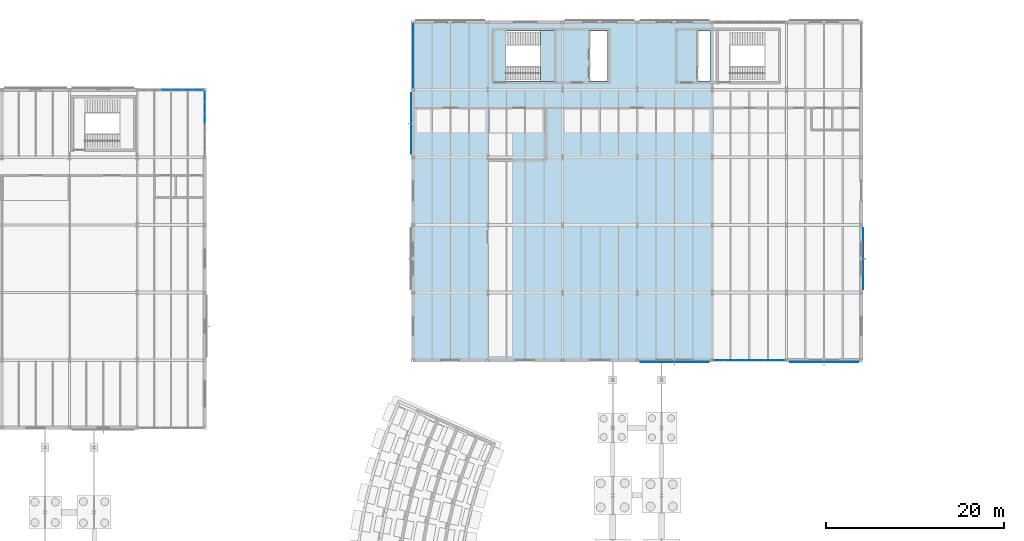
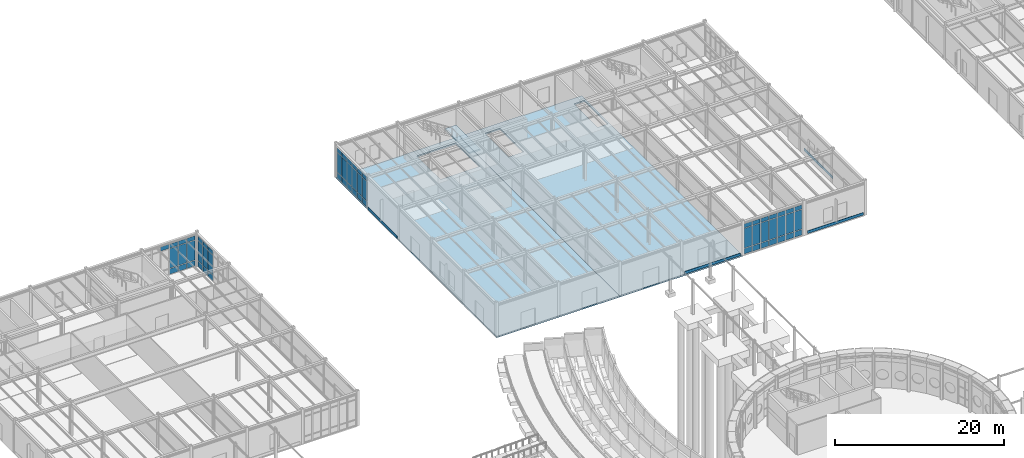
# One storey, part 77 of 109: 62 plates, 3 slabs, 5 elements without a shape of their own.
"""IFC4 building model written with IfcOpenShell, lengths in metres."""

from ifc_helpers import new_model, si_unit, direction, frame, origin, origin_2d, place, context, subcontext, project, spatial, polyline, rectangle, outline, extrude, material, layer, layer_set, type_object, element, aggregate, save


model = new_model("IFC4")

# Units and contexts
model_context = context("Model", 3, precision=1e-05, world=origin(), true_north=direction((0.0, 1.0)))
body_context = subcontext(model_context, "Body", "Model", "MODEL_VIEW")
ifc_project = project(units=[si_unit("LENGTHUNIT", "METRE"), si_unit("AREAUNIT", "SQUARE_METRE"), si_unit("VOLUMEUNIT", "CUBIC_METRE"), si_unit("PLANEANGLEUNIT", "RADIAN"), si_unit("MASSUNIT", "GRAM", prefix="KILO")], contexts=[model_context])

# Site, building, storey
site_placement = place(None, origin())
site = spatial("IfcSite", under=ifc_project, at=site_placement, CompositionType="ELEMENT")
building_placement = place(site_placement, origin())
building = spatial("IfcBuilding", under=site, at=building_placement, Name="Montecoro Central Library", CompositionType="ELEMENT")
storey_placement = place(building_placement, origin())
storey = spatial("IfcBuildingStorey", under=building, at=storey_placement, Name="L00", CompositionType="ELEMENT", Elevation=0.0)

# Curtain wall, plates
ifc_material_1 = material(Name="Bronze-anodised aluminium and low-E glazing", Category="aluminium")
ifc_layer_1 = layer(ifc_material_1, 0.159912109375)
ifc_layer_set_1 = layer_set([ifc_layer_1], Name="Bronze-anodised aluminium and low-E glazing")
curtain_wall_type_1 = type_object("IfcCurtainWallType", Name="CWT-006", PredefinedType="NOTDEFINED", material=ifc_layer_set_1)
curtain_wall_1_placement = place(storey_placement, origin())
curtain_wall_1 = element("IfcCurtainWall", 1, at=curtain_wall_1_placement, inside=storey, type_object=curtain_wall_type_1, Name="V2-L00-CW-S4", PredefinedType="NOTDEFINED")
ifc_material_2 = material(Name="Laminated low-E double glazing", Category="glass")
ifc_layer_2 = layer(ifc_material_2, 0.02587890625)
ifc_layer_set_2 = layer_set([ifc_layer_2], Name="Laminated low-E double glazing")
plate_type_1 = type_object("IfcPlateType", Name="CWP-GLZ-01", PredefinedType="CURTAIN_PANEL", material=ifc_layer_set_2)
plate_1_placement = place(storey_placement, frame((100.77001953125, 81.0, 0.070068359375), z_axis=(0.0, 0.0, 1.0), x_axis=(1.0, 0.0, 0.0)))
plate_1 = element("IfcPlate", 2, at=plate_1_placement, type_object=plate_type_1, Name="CW-006 panel 1.1", PredefinedType="CURTAIN_PANEL", context=body_context, shape_type="SweptSolid", body=[
    extrude(rectangle(XDim=1.044189453125, YDim=0.02587890625, at=origin_2d()), origin(), (0.0, 0.0, 1.0), 0.794921875),
])
plate_2_placement = place(storey_placement, frame((100.77001953125, 81.0, 0.93505859375), z_axis=(0.0, 0.0, 1.0), x_axis=(1.0, 0.0, 0.0)))
plate_2 = element("IfcPlate", 3, at=plate_2_placement, type_object=plate_type_1, Name="CW-006 panel 1.2", PredefinedType="CURTAIN_PANEL", context=body_context, shape_type="SweptSolid", body=[
    extrude(rectangle(XDim=1.044189453125, YDim=0.02587890625, at=origin_2d()), origin(), (0.0, 0.0, 1.0), 2.830078125),
])
plate_3_placement = place(storey_placement, frame((100.77001953125, 81.0, 3.8349609375), z_axis=(0.0, 0.0, 1.0), x_axis=(1.0, 0.0, 0.0)))
plate_3 = element("IfcPlate", 4, at=plate_3_placement, type_object=plate_type_1, Name="CW-006 panel 1.3", PredefinedType="CURTAIN_PANEL", context=body_context, shape_type="SweptSolid", body=[
    extrude(rectangle(XDim=1.044189453125, YDim=0.02587890625, at=origin_2d()), origin(), (0.0, 0.0, 1.0), 0.594970703125),
])
plate_4_placement = place(storey_placement, frame((101.901611328125, 81.0, 0.070068359375), z_axis=(0.0, 0.0, 1.0), x_axis=(1.0, 0.0, 0.0)))
plate_4 = element("IfcPlate", 5, at=plate_4_placement, type_object=plate_type_1, Name="CW-006 panel 2.1", PredefinedType="CURTAIN_PANEL", context=body_context, shape_type="SweptSolid", body=[
    extrude(rectangle(XDim=1.0791015625, YDim=0.02587890625, at=origin_2d()), origin(), (0.0, 0.0, 1.0), 0.794921875),
])
plate_5_placement = place(storey_placement, frame((101.901611328125, 81.0, 0.93505859375), z_axis=(0.0, 0.0, 1.0), x_axis=(1.0, 0.0, 0.0)))
plate_5 = element("IfcPlate", 6, at=plate_5_placement, type_object=plate_type_1, Name="CW-006 panel 2.2", PredefinedType="CURTAIN_PANEL", context=body_context, shape_type="SweptSolid", body=[
    extrude(rectangle(XDim=1.0791015625, YDim=0.02587890625, at=origin_2d()), origin(), (0.0, 0.0, 1.0), 2.830078125),
])
plate_6_placement = place(storey_placement, frame((101.901611328125, 81.0, 3.8349609375), z_axis=(0.0, 0.0, 1.0), x_axis=(1.0, 0.0, 0.0)))
plate_6 = element("IfcPlate", 7, at=plate_6_placement, type_object=plate_type_1, Name="CW-006 panel 2.3", PredefinedType="CURTAIN_PANEL", context=body_context, shape_type="SweptSolid", body=[
    extrude(rectangle(XDim=1.0791015625, YDim=0.02587890625, at=origin_2d()), origin(), (0.0, 0.0, 1.0), 0.594970703125),
])
plate_7_placement = place(storey_placement, frame((103.05078125, 81.0, 0.070068359375), z_axis=(0.0, 0.0, 1.0), x_axis=(1.0, 0.0, 0.0)))
plate_7 = element("IfcPlate", 8, at=plate_7_placement, type_object=plate_type_1, Name="CW-006 panel 3.1", PredefinedType="CURTAIN_PANEL", context=body_context, shape_type="SweptSolid", body=[
    extrude(rectangle(XDim=1.0791015625, YDim=0.02587890625, at=origin_2d()), origin(), (0.0, 0.0, 1.0), 0.794921875),
])
plate_8_placement = place(storey_placement, frame((103.05078125, 81.0, 0.93505859375), z_axis=(0.0, 0.0, 1.0), x_axis=(1.0, 0.0, 0.0)))
plate_8 = element("IfcPlate", 9, at=plate_8_placement, type_object=plate_type_1, Name="CW-006 panel 3.2", PredefinedType="CURTAIN_PANEL", context=body_context, shape_type="SweptSolid", body=[
    extrude(rectangle(XDim=1.0791015625, YDim=0.02587890625, at=origin_2d()), origin(), (0.0, 0.0, 1.0), 2.830078125),
])
plate_9_placement = place(storey_placement, frame((103.05078125, 81.0, 3.8349609375), z_axis=(0.0, 0.0, 1.0), x_axis=(1.0, 0.0, 0.0)))
plate_9 = element("IfcPlate", 10, at=plate_9_placement, type_object=plate_type_1, Name="CW-006 panel 3.3", PredefinedType="CURTAIN_PANEL", context=body_context, shape_type="SweptSolid", body=[
    extrude(rectangle(XDim=1.0791015625, YDim=0.02587890625, at=origin_2d()), origin(), (0.0, 0.0, 1.0), 0.594970703125),
])
plate_10_placement = place(storey_placement, frame((104.199951171875, 81.0, 0.070068359375), z_axis=(0.0, 0.0, 1.0), x_axis=(1.0, 0.0, 0.0)))
plate_10 = element("IfcPlate", 11, at=plate_10_placement, type_object=plate_type_1, Name="CW-006 panel 4.1", PredefinedType="CURTAIN_PANEL", context=body_context, shape_type="SweptSolid", body=[
    extrude(rectangle(XDim=1.0791015625, YDim=0.02587890625, at=origin_2d()), origin(), (0.0, 0.0, 1.0), 0.794921875),
])
plate_11_placement = place(storey_placement, frame((104.199951171875, 81.0, 0.93505859375), z_axis=(0.0, 0.0, 1.0), x_axis=(1.0, 0.0, 0.0)))
plate_11 = element("IfcPlate", 12, at=plate_11_placement, type_object=plate_type_1, Name="CW-006 panel 4.2", PredefinedType="CURTAIN_PANEL", context=body_context, shape_type="SweptSolid", body=[
    extrude(rectangle(XDim=1.0791015625, YDim=0.02587890625, at=origin_2d()), origin(), (0.0, 0.0, 1.0), 2.830078125),
])
plate_12_placement = place(storey_placement, frame((104.199951171875, 81.0, 3.8349609375), z_axis=(0.0, 0.0, 1.0), x_axis=(1.0, 0.0, 0.0)))
plate_12 = element("IfcPlate", 13, at=plate_12_placement, type_object=plate_type_1, Name="CW-006 panel 4.3", PredefinedType="CURTAIN_PANEL", context=body_context, shape_type="SweptSolid", body=[
    extrude(rectangle(XDim=1.0791015625, YDim=0.02587890625, at=origin_2d()), origin(), (0.0, 0.0, 1.0), 0.594970703125),
])
plate_13_placement = place(storey_placement, frame((105.34912109375, 81.0, 0.070068359375), z_axis=(0.0, 0.0, 1.0), x_axis=(1.0, 0.0, 0.0)))
plate_13 = element("IfcPlate", 14, at=plate_13_placement, type_object=plate_type_1, Name="CW-006 panel 5.1", PredefinedType="CURTAIN_PANEL", context=body_context, shape_type="SweptSolid", body=[
    extrude(rectangle(XDim=1.0791015625, YDim=0.02587890625, at=origin_2d()), origin(), (0.0, 0.0, 1.0), 0.794921875),
])
plate_14_placement = place(storey_placement, frame((105.34912109375, 81.0, 0.93505859375), z_axis=(0.0, 0.0, 1.0), x_axis=(1.0, 0.0, 0.0)))
plate_14 = element("IfcPlate", 15, at=plate_14_placement, type_object=plate_type_1, Name="CW-006 panel 5.2", PredefinedType="CURTAIN_PANEL", context=body_context, shape_type="SweptSolid", body=[
    extrude(rectangle(XDim=1.0791015625, YDim=0.02587890625, at=origin_2d()), origin(), (0.0, 0.0, 1.0), 2.830078125),
])
plate_15_placement = place(storey_placement, frame((105.34912109375, 81.0, 3.8349609375), z_axis=(0.0, 0.0, 1.0), x_axis=(1.0, 0.0, 0.0)))
plate_15 = element("IfcPlate", 16, at=plate_15_placement, type_object=plate_type_1, Name="CW-006 panel 5.3", PredefinedType="CURTAIN_PANEL", context=body_context, shape_type="SweptSolid", body=[
    extrude(rectangle(XDim=1.0791015625, YDim=0.02587890625, at=origin_2d()), origin(), (0.0, 0.0, 1.0), 0.594970703125),
])
plate_16_placement = place(storey_placement, frame((106.498291015625, 81.0, 0.070068359375), z_axis=(0.0, 0.0, 1.0), x_axis=(1.0, 0.0, 0.0)))
plate_16 = element("IfcPlate", 17, at=plate_16_placement, type_object=plate_type_1, Name="CW-006 panel 6.1", PredefinedType="CURTAIN_PANEL", context=body_context, shape_type="SweptSolid", body=[
    extrude(rectangle(XDim=1.0791015625, YDim=0.02587890625, at=origin_2d()), origin(), (0.0, 0.0, 1.0), 0.794921875),
])
plate_17_placement = place(storey_placement, frame((106.498291015625, 81.0, 0.93505859375), z_axis=(0.0, 0.0, 1.0), x_axis=(1.0, 0.0, 0.0)))
plate_17 = element("IfcPlate", 18, at=plate_17_placement, type_object=plate_type_1, Name="CW-006 panel 6.2", PredefinedType="CURTAIN_PANEL", context=body_context, shape_type="SweptSolid", body=[
    extrude(rectangle(XDim=1.0791015625, YDim=0.02587890625, at=origin_2d()), origin(), (0.0, 0.0, 1.0), 2.830078125),
])
plate_18_placement = place(storey_placement, frame((106.498291015625, 81.0, 3.8349609375), z_axis=(0.0, 0.0, 1.0), x_axis=(1.0, 0.0, 0.0)))
plate_18 = element("IfcPlate", 19, at=plate_18_placement, type_object=plate_type_1, Name="CW-006 panel 6.3", PredefinedType="CURTAIN_PANEL", context=body_context, shape_type="SweptSolid", body=[
    extrude(rectangle(XDim=1.0791015625, YDim=0.02587890625, at=origin_2d()), origin(), (0.0, 0.0, 1.0), 0.594970703125),
])
plate_19_placement = place(storey_placement, frame((107.6298828125, 81.0, 0.070068359375), z_axis=(0.0, 0.0, 1.0), x_axis=(1.0, 0.0, 0.0)))
plate_19 = element("IfcPlate", 20, at=plate_19_placement, type_object=plate_type_1, Name="CW-006 panel 7.1", PredefinedType="CURTAIN_PANEL", context=body_context, shape_type="SweptSolid", body=[
    extrude(rectangle(XDim=1.044189453125, YDim=0.02587890625, at=origin_2d()), origin(), (0.0, 0.0, 1.0), 0.794921875),
])
plate_20_placement = place(storey_placement, frame((107.6298828125, 81.0, 0.93505859375), z_axis=(0.0, 0.0, 1.0), x_axis=(1.0, 0.0, 0.0)))
plate_20 = element("IfcPlate", 21, at=plate_20_placement, type_object=plate_type_1, Name="CW-006 panel 7.2", PredefinedType="CURTAIN_PANEL", context=body_context, shape_type="SweptSolid", body=[
    extrude(rectangle(XDim=1.044189453125, YDim=0.02587890625, at=origin_2d()), origin(), (0.0, 0.0, 1.0), 2.830078125),
])
plate_21_placement = place(storey_placement, frame((107.6298828125, 81.0, 3.8349609375), z_axis=(0.0, 0.0, 1.0), x_axis=(1.0, 0.0, 0.0)))
plate_21 = element("IfcPlate", 22, at=plate_21_placement, type_object=plate_type_1, Name="CW-006 panel 7.3", PredefinedType="CURTAIN_PANEL", context=body_context, shape_type="SweptSolid", body=[
    extrude(rectangle(XDim=1.044189453125, YDim=0.02587890625, at=origin_2d()), origin(), (0.0, 0.0, 1.0), 0.594970703125),
])
aggregate(curtain_wall_1, [plate_1, plate_2, plate_3, plate_4, plate_5, plate_6, plate_7, plate_8, plate_9, plate_10, plate_11, plate_12, plate_13, plate_14, plate_15, plate_16, plate_17, plate_18, plate_19, plate_20, plate_21])

ifc_layer_3 = layer(ifc_material_1, 0.159912109375)
ifc_layer_set_3 = layer_set([ifc_layer_3], Name="Bronze-anodised aluminium and low-E glazing")
curtain_wall_type_2 = type_object("IfcCurtainWallType", Name="CWT-009", PredefinedType="NOTDEFINED", material=ifc_layer_set_3)
curtain_wall_2_placement = place(storey_placement, origin())
curtain_wall_2 = element("IfcCurtainWall", 23, at=curtain_wall_2_placement, inside=storey, type_object=curtain_wall_type_2, Name="V2-L00-CW-W4", PredefinedType="NOTDEFINED")
plate_22_placement = place(storey_placement, frame((66.39990234375, 118.200927734375, 0.070068359375), z_axis=(0.0, 0.0, 1.0), x_axis=(0.0, -1.0, 0.0)))
plate_22 = element("IfcPlate", 24, at=plate_22_placement, type_object=plate_type_1, Name="CW-009 panel 1.1", PredefinedType="CURTAIN_PANEL", context=body_context, shape_type="SweptSolid", body=[
    extrude(rectangle(XDim=1.102294921875, YDim=0.02587890625, at=origin_2d()), origin(), (0.0, 0.0, 1.0), 0.794921875),
])
plate_23_placement = place(storey_placement, frame((66.39990234375, 118.200927734375, 0.93505859375), z_axis=(0.0, 0.0, 1.0), x_axis=(0.0, -1.0, 0.0)))
plate_23 = element("IfcPlate", 25, at=plate_23_placement, type_object=plate_type_1, Name="CW-009 panel 1.2", PredefinedType="CURTAIN_PANEL", context=body_context, shape_type="SweptSolid", body=[
    extrude(rectangle(XDim=1.102294921875, YDim=0.02587890625, at=origin_2d()), origin(), (0.0, 0.0, 1.0), 2.830078125),
])
plate_24_placement = place(storey_placement, frame((66.39990234375, 118.200927734375, 3.8349609375), z_axis=(0.0, 0.0, 1.0), x_axis=(0.0, -1.0, 0.0)))
plate_24 = element("IfcPlate", 26, at=plate_24_placement, type_object=plate_type_1, Name="CW-009 panel 1.3", PredefinedType="CURTAIN_PANEL", context=body_context, shape_type="SweptSolid", body=[
    extrude(rectangle(XDim=1.102294921875, YDim=0.02587890625, at=origin_2d()), origin(), (0.0, 0.0, 1.0), 0.594970703125),
])
plate_25_placement = place(storey_placement, frame((66.39990234375, 117.010986328125, 0.070068359375), z_axis=(0.0, 0.0, 1.0), x_axis=(0.0, -1.0, 0.0)))
plate_25 = element("IfcPlate", 27, at=plate_25_placement, type_object=plate_type_1, Name="CW-009 panel 2.1", PredefinedType="CURTAIN_PANEL", context=body_context, shape_type="SweptSolid", body=[
    extrude(rectangle(XDim=1.137451171875, YDim=0.02587890625, at=origin_2d()), origin(), (0.0, 0.0, 1.0), 0.794921875),
])
plate_26_placement = place(storey_placement, frame((66.39990234375, 117.010986328125, 0.93505859375), z_axis=(0.0, 0.0, 1.0), x_axis=(0.0, -1.0, 0.0)))
plate_26 = element("IfcPlate", 28, at=plate_26_placement, type_object=plate_type_1, Name="CW-009 panel 2.2", PredefinedType="CURTAIN_PANEL", context=body_context, shape_type="SweptSolid", body=[
    extrude(rectangle(XDim=1.137451171875, YDim=0.02587890625, at=origin_2d()), origin(), (0.0, 0.0, 1.0), 2.830078125),
])
plate_27_placement = place(storey_placement, frame((66.39990234375, 117.010986328125, 3.8349609375), z_axis=(0.0, 0.0, 1.0), x_axis=(0.0, -1.0, 0.0)))
plate_27 = element("IfcPlate", 29, at=plate_27_placement, type_object=plate_type_1, Name="CW-009 panel 2.3", PredefinedType="CURTAIN_PANEL", context=body_context, shape_type="SweptSolid", body=[
    extrude(rectangle(XDim=1.137451171875, YDim=0.02587890625, at=origin_2d()), origin(), (0.0, 0.0, 1.0), 0.594970703125),
])
plate_28_placement = place(storey_placement, frame((66.39990234375, 115.8037109375, 0.070068359375), z_axis=(0.0, 0.0, 1.0), x_axis=(0.0, -1.0, 0.0)))
plate_28 = element("IfcPlate", 30, at=plate_28_placement, type_object=plate_type_1, Name="CW-009 panel 3.1", PredefinedType="CURTAIN_PANEL", context=body_context, shape_type="SweptSolid", body=[
    extrude(rectangle(XDim=1.137451171875, YDim=0.02587890625, at=origin_2d()), origin(), (0.0, 0.0, 1.0), 0.794921875),
])
plate_29_placement = place(storey_placement, frame((66.39990234375, 115.8037109375, 0.93505859375), z_axis=(0.0, 0.0, 1.0), x_axis=(0.0, -1.0, 0.0)))
plate_29 = element("IfcPlate", 31, at=plate_29_placement, type_object=plate_type_1, Name="CW-009 panel 3.2", PredefinedType="CURTAIN_PANEL", context=body_context, shape_type="SweptSolid", body=[
    extrude(rectangle(XDim=1.137451171875, YDim=0.02587890625, at=origin_2d()), origin(), (0.0, 0.0, 1.0), 2.830078125),
])
plate_30_placement = place(storey_placement, frame((66.39990234375, 115.8037109375, 3.8349609375), z_axis=(0.0, 0.0, 1.0), x_axis=(0.0, -1.0, 0.0)))
plate_30 = element("IfcPlate", 32, at=plate_30_placement, type_object=plate_type_1, Name="CW-009 panel 3.3", PredefinedType="CURTAIN_PANEL", context=body_context, shape_type="SweptSolid", body=[
    extrude(rectangle(XDim=1.137451171875, YDim=0.02587890625, at=origin_2d()), origin(), (0.0, 0.0, 1.0), 0.594970703125),
])
plate_31_placement = place(storey_placement, frame((66.39990234375, 114.596435546875, 0.070068359375), z_axis=(0.0, 0.0, 1.0), x_axis=(0.0, -1.0, 0.0)))
plate_31 = element("IfcPlate", 33, at=plate_31_placement, type_object=plate_type_1, Name="CW-009 panel 4.1", PredefinedType="CURTAIN_PANEL", context=body_context, shape_type="SweptSolid", body=[
    extrude(rectangle(XDim=1.137451171875, YDim=0.02587890625, at=origin_2d()), origin(), (0.0, 0.0, 1.0), 0.794921875),
])
plate_32_placement = place(storey_placement, frame((66.39990234375, 114.596435546875, 0.93505859375), z_axis=(0.0, 0.0, 1.0), x_axis=(0.0, -1.0, 0.0)))
plate_32 = element("IfcPlate", 34, at=plate_32_placement, type_object=plate_type_1, Name="CW-009 panel 4.2", PredefinedType="CURTAIN_PANEL", context=body_context, shape_type="SweptSolid", body=[
    extrude(rectangle(XDim=1.137451171875, YDim=0.02587890625, at=origin_2d()), origin(), (0.0, 0.0, 1.0), 2.830078125),
])
plate_33_placement = place(storey_placement, frame((66.39990234375, 114.596435546875, 3.8349609375), z_axis=(0.0, 0.0, 1.0), x_axis=(0.0, -1.0, 0.0)))
plate_33 = element("IfcPlate", 35, at=plate_33_placement, type_object=plate_type_1, Name="CW-009 panel 4.3", PredefinedType="CURTAIN_PANEL", context=body_context, shape_type="SweptSolid", body=[
    extrude(rectangle(XDim=1.137451171875, YDim=0.02587890625, at=origin_2d()), origin(), (0.0, 0.0, 1.0), 0.594970703125),
])
plate_34_placement = place(storey_placement, frame((66.39990234375, 113.388916015625, 0.070068359375), z_axis=(0.0, 0.0, 1.0), x_axis=(0.0, -1.0, 0.0)))
plate_34 = element("IfcPlate", 36, at=plate_34_placement, type_object=plate_type_1, Name="CW-009 panel 5.1", PredefinedType="CURTAIN_PANEL", context=body_context, shape_type="SweptSolid", body=[
    extrude(rectangle(XDim=1.137451171875, YDim=0.02587890625, at=origin_2d()), origin(), (0.0, 0.0, 1.0), 0.794921875),
])
plate_35_placement = place(storey_placement, frame((66.39990234375, 113.388916015625, 0.93505859375), z_axis=(0.0, 0.0, 1.0), x_axis=(0.0, -1.0, 0.0)))
plate_35 = element("IfcPlate", 37, at=plate_35_placement, type_object=plate_type_1, Name="CW-009 panel 5.2", PredefinedType="CURTAIN_PANEL", context=body_context, shape_type="SweptSolid", body=[
    extrude(rectangle(XDim=1.137451171875, YDim=0.02587890625, at=origin_2d()), origin(), (0.0, 0.0, 1.0), 2.830078125),
])
plate_36_placement = place(storey_placement, frame((66.39990234375, 113.388916015625, 3.8349609375), z_axis=(0.0, 0.0, 1.0), x_axis=(0.0, -1.0, 0.0)))
plate_36 = element("IfcPlate", 38, at=plate_36_placement, type_object=plate_type_1, Name="CW-009 panel 5.3", PredefinedType="CURTAIN_PANEL", context=body_context, shape_type="SweptSolid", body=[
    extrude(rectangle(XDim=1.137451171875, YDim=0.02587890625, at=origin_2d()), origin(), (0.0, 0.0, 1.0), 0.594970703125),
])
plate_37_placement = place(storey_placement, frame((66.39990234375, 112.19921875, 0.070068359375), z_axis=(0.0, 0.0, 1.0), x_axis=(0.0, -1.0, 0.0)))
plate_37 = element("IfcPlate", 39, at=plate_37_placement, type_object=plate_type_1, Name="CW-009 panel 6.1", PredefinedType="CURTAIN_PANEL", context=body_context, shape_type="SweptSolid", body=[
    extrude(rectangle(XDim=1.102294921875, YDim=0.02587890625, at=origin_2d()), origin(), (0.0, 0.0, 1.0), 0.794921875),
])
plate_38_placement = place(storey_placement, frame((66.39990234375, 112.19921875, 0.93505859375), z_axis=(0.0, 0.0, 1.0), x_axis=(0.0, -1.0, 0.0)))
plate_38 = element("IfcPlate", 40, at=plate_38_placement, type_object=plate_type_1, Name="CW-009 panel 6.2", PredefinedType="CURTAIN_PANEL", context=body_context, shape_type="SweptSolid", body=[
    extrude(rectangle(XDim=1.102294921875, YDim=0.02587890625, at=origin_2d()), origin(), (0.0, 0.0, 1.0), 2.830078125),
])
plate_39_placement = place(storey_placement, frame((66.39990234375, 112.19921875, 3.8349609375), z_axis=(0.0, 0.0, 1.0), x_axis=(0.0, -1.0, 0.0)))
plate_39 = element("IfcPlate", 41, at=plate_39_placement, type_object=plate_type_1, Name="CW-009 panel 6.3", PredefinedType="CURTAIN_PANEL", context=body_context, shape_type="SweptSolid", body=[
    extrude(rectangle(XDim=1.102294921875, YDim=0.02587890625, at=origin_2d()), origin(), (0.0, 0.0, 1.0), 0.594970703125),
])
aggregate(curtain_wall_2, [plate_22, plate_23, plate_24, plate_25, plate_26, plate_27, plate_28, plate_29, plate_30, plate_31, plate_32, plate_33, plate_34, plate_35, plate_36, plate_37, plate_38, plate_39])

ifc_layer_4 = layer(ifc_material_1, 0.159912109375)
ifc_layer_set_4 = layer_set([ifc_layer_4], Name="Bronze-anodised aluminium and low-E glazing")
curtain_wall_type_3 = type_object("IfcCurtainWallType", Name="CWT-039", PredefinedType="NOTDEFINED", material=ifc_layer_set_4)
curtain_wall_3_placement = place(storey_placement, origin())
curtain_wall_3 = element("IfcCurtainWall", 42, at=curtain_wall_3_placement, inside=storey, type_object=curtain_wall_type_3, Name="V4-L00-CW-E4", PredefinedType="NOTDEFINED")
plate_40_placement = place(storey_placement, frame((43.0, 108.20361328125, 0.070068359375), z_axis=(0.0, 0.0, 1.0), x_axis=(0.0, 1.0, 0.0)))
plate_40 = element("IfcPlate", 43, at=plate_40_placement, type_object=plate_type_1, Name="CW-039 panel 4.1", PredefinedType="CURTAIN_PANEL", context=body_context, shape_type="SweptSolid", body=[
    extrude(rectangle(XDim=1.137451171875, YDim=0.02587890625, at=origin_2d()), origin(), (0.0, 0.0, 1.0), 0.794921875),
])
plate_41_placement = place(storey_placement, frame((43.0, 108.20361328125, 0.93505859375), z_axis=(0.0, 0.0, 1.0), x_axis=(0.0, 1.0, 0.0)))
plate_41 = element("IfcPlate", 44, at=plate_41_placement, type_object=plate_type_1, Name="CW-039 panel 4.2", PredefinedType="CURTAIN_PANEL", context=body_context, shape_type="SweptSolid", body=[
    extrude(rectangle(XDim=1.137451171875, YDim=0.02587890625, at=origin_2d()), origin(), (0.0, 0.0, 1.0), 2.830078125),
])
plate_42_placement = place(storey_placement, frame((43.0, 108.20361328125, 3.8349609375), z_axis=(0.0, 0.0, 1.0), x_axis=(0.0, 1.0, 0.0)))
plate_42 = element("IfcPlate", 45, at=plate_42_placement, type_object=plate_type_1, Name="CW-039 panel 4.3", PredefinedType="CURTAIN_PANEL", context=body_context, shape_type="SweptSolid", body=[
    extrude(rectangle(XDim=1.137451171875, YDim=0.02587890625, at=origin_2d()), origin(), (0.0, 0.0, 1.0), 0.594970703125),
])
plate_43_placement = place(storey_placement, frame((43.0, 109.410888671875, 0.070068359375), z_axis=(0.0, 0.0, 1.0), x_axis=(0.0, 1.0, 0.0)))
plate_43 = element("IfcPlate", 46, at=plate_43_placement, type_object=plate_type_1, Name="CW-039 panel 5.1", PredefinedType="CURTAIN_PANEL", context=body_context, shape_type="SweptSolid", body=[
    extrude(rectangle(XDim=1.137451171875, YDim=0.02587890625, at=origin_2d()), origin(), (0.0, 0.0, 1.0), 0.794921875),
])
plate_44_placement = place(storey_placement, frame((43.0, 109.410888671875, 0.93505859375), z_axis=(0.0, 0.0, 1.0), x_axis=(0.0, 1.0, 0.0)))
plate_44 = element("IfcPlate", 47, at=plate_44_placement, type_object=plate_type_1, Name="CW-039 panel 5.2", PredefinedType="CURTAIN_PANEL", context=body_context, shape_type="SweptSolid", body=[
    extrude(rectangle(XDim=1.137451171875, YDim=0.02587890625, at=origin_2d()), origin(), (0.0, 0.0, 1.0), 2.830078125),
])
plate_45_placement = place(storey_placement, frame((43.0, 109.410888671875, 3.8349609375), z_axis=(0.0, 0.0, 1.0), x_axis=(0.0, 1.0, 0.0)))
plate_45 = element("IfcPlate", 48, at=plate_45_placement, type_object=plate_type_1, Name="CW-039 panel 5.3", PredefinedType="CURTAIN_PANEL", context=body_context, shape_type="SweptSolid", body=[
    extrude(rectangle(XDim=1.137451171875, YDim=0.02587890625, at=origin_2d()), origin(), (0.0, 0.0, 1.0), 0.594970703125),
])
plate_46_placement = place(storey_placement, frame((43.0, 110.600830078125, 0.070068359375), z_axis=(0.0, 0.0, 1.0), x_axis=(0.0, 1.0, 0.0)))
plate_46 = element("IfcPlate", 49, at=plate_46_placement, type_object=plate_type_1, Name="CW-039 panel 6.1", PredefinedType="CURTAIN_PANEL", context=body_context, shape_type="SweptSolid", body=[
    extrude(rectangle(XDim=1.102294921875, YDim=0.02587890625, at=origin_2d()), origin(), (0.0, 0.0, 1.0), 0.794921875),
])
plate_47_placement = place(storey_placement, frame((43.0, 110.600830078125, 0.93505859375), z_axis=(0.0, 0.0, 1.0), x_axis=(0.0, 1.0, 0.0)))
plate_47 = element("IfcPlate", 50, at=plate_47_placement, type_object=plate_type_1, Name="CW-039 panel 6.2", PredefinedType="CURTAIN_PANEL", context=body_context, shape_type="SweptSolid", body=[
    extrude(rectangle(XDim=1.102294921875, YDim=0.02587890625, at=origin_2d()), origin(), (0.0, 0.0, 1.0), 2.830078125),
])
plate_48_placement = place(storey_placement, frame((43.0, 110.600830078125, 3.8349609375), z_axis=(0.0, 0.0, 1.0), x_axis=(0.0, 1.0, 0.0)))
plate_48 = element("IfcPlate", 51, at=plate_48_placement, type_object=plate_type_1, Name="CW-039 panel 6.3", PredefinedType="CURTAIN_PANEL", context=body_context, shape_type="SweptSolid", body=[
    extrude(rectangle(XDim=1.102294921875, YDim=0.02587890625, at=origin_2d()), origin(), (0.0, 0.0, 1.0), 0.594970703125),
])
aggregate(curtain_wall_3, [plate_40, plate_41, plate_42, plate_43, plate_44, plate_45, plate_46, plate_47, plate_48])

ifc_layer_5 = layer(ifc_material_1, 0.159912109375)
ifc_layer_set_5 = layer_set([ifc_layer_5], Name="Bronze-anodised aluminium and low-E glazing")
curtain_wall_type_4 = type_object("IfcCurtainWallType", Name="CWT-040", PredefinedType="NOTDEFINED", material=ifc_layer_set_5)
curtain_wall_4_placement = place(storey_placement, origin())
curtain_wall_4 = element("IfcCurtainWall", 52, at=curtain_wall_4_placement, inside=storey, type_object=curtain_wall_type_4, Name="V4-L00-CW-N4", PredefinedType="NOTDEFINED")
plate_49_placement = place(storey_placement, frame((42.200927734375, 111.39990234375, 0.070068359375), z_axis=(0.0, 0.0, 1.0), x_axis=(-1.0, 0.0, 0.0)))
plate_49 = element("IfcPlate", 53, at=plate_49_placement, type_object=plate_type_1, Name="CW-040 panel 1.1", PredefinedType="CURTAIN_PANEL", context=body_context, shape_type="SweptSolid", body=[
    extrude(rectangle(XDim=1.102294921875, YDim=0.02587890625, at=origin_2d()), origin(), (0.0, 0.0, 1.0), 0.794921875),
])
plate_50_placement = place(storey_placement, frame((42.200927734375, 111.39990234375, 0.93505859375), z_axis=(0.0, 0.0, 1.0), x_axis=(-1.0, 0.0, 0.0)))
plate_50 = element("IfcPlate", 54, at=plate_50_placement, type_object=plate_type_1, Name="CW-040 panel 1.2", PredefinedType="CURTAIN_PANEL", context=body_context, shape_type="SweptSolid", body=[
    extrude(rectangle(XDim=1.102294921875, YDim=0.02587890625, at=origin_2d()), origin(), (0.0, 0.0, 1.0), 2.830078125),
])
plate_51_placement = place(storey_placement, frame((42.200927734375, 111.39990234375, 3.8349609375), z_axis=(0.0, 0.0, 1.0), x_axis=(-1.0, 0.0, 0.0)))
plate_51 = element("IfcPlate", 55, at=plate_51_placement, type_object=plate_type_1, Name="CW-040 panel 1.3", PredefinedType="CURTAIN_PANEL", context=body_context, shape_type="SweptSolid", body=[
    extrude(rectangle(XDim=1.102294921875, YDim=0.02587890625, at=origin_2d()), origin(), (0.0, 0.0, 1.0), 0.594970703125),
])
plate_52_placement = place(storey_placement, frame((41.010986328125, 111.39990234375, 0.070068359375), z_axis=(0.0, 0.0, 1.0), x_axis=(-1.0, 0.0, 0.0)))
plate_52 = element("IfcPlate", 56, at=plate_52_placement, type_object=plate_type_1, Name="CW-040 panel 2.1", PredefinedType="CURTAIN_PANEL", context=body_context, shape_type="SweptSolid", body=[
    extrude(rectangle(XDim=1.137451171875, YDim=0.02587890625, at=origin_2d()), origin(), (0.0, 0.0, 1.0), 0.794921875),
])
plate_53_placement = place(storey_placement, frame((41.010986328125, 111.39990234375, 0.93505859375), z_axis=(0.0, 0.0, 1.0), x_axis=(-1.0, 0.0, 0.0)))
plate_53 = element("IfcPlate", 57, at=plate_53_placement, type_object=plate_type_1, Name="CW-040 panel 2.2", PredefinedType="CURTAIN_PANEL", context=body_context, shape_type="SweptSolid", body=[
    extrude(rectangle(XDim=1.137451171875, YDim=0.02587890625, at=origin_2d()), origin(), (0.0, 0.0, 1.0), 2.830078125),
])
plate_54_placement = place(storey_placement, frame((41.010986328125, 111.39990234375, 3.8349609375), z_axis=(0.0, 0.0, 1.0), x_axis=(-1.0, 0.0, 0.0)))
plate_54 = element("IfcPlate", 58, at=plate_54_placement, type_object=plate_type_1, Name="CW-040 panel 2.3", PredefinedType="CURTAIN_PANEL", context=body_context, shape_type="SweptSolid", body=[
    extrude(rectangle(XDim=1.137451171875, YDim=0.02587890625, at=origin_2d()), origin(), (0.0, 0.0, 1.0), 0.594970703125),
])
plate_55_placement = place(storey_placement, frame((39.8037109375, 111.39990234375, 0.070068359375), z_axis=(0.0, 0.0, 1.0), x_axis=(-1.0, 0.0, 0.0)))
plate_55 = element("IfcPlate", 59, at=plate_55_placement, type_object=plate_type_1, Name="CW-040 panel 3.1", PredefinedType="CURTAIN_PANEL", context=body_context, shape_type="SweptSolid", body=[
    extrude(rectangle(XDim=1.137451171875, YDim=0.02587890625, at=origin_2d()), origin(), (0.0, 0.0, 1.0), 0.794921875),
])
plate_56_placement = place(storey_placement, frame((39.8037109375, 111.39990234375, 0.93505859375), z_axis=(0.0, 0.0, 1.0), x_axis=(-1.0, 0.0, 0.0)))
plate_56 = element("IfcPlate", 60, at=plate_56_placement, type_object=plate_type_1, Name="CW-040 panel 3.2", PredefinedType="CURTAIN_PANEL", context=body_context, shape_type="SweptSolid", body=[
    extrude(rectangle(XDim=1.137451171875, YDim=0.02587890625, at=origin_2d()), origin(), (0.0, 0.0, 1.0), 2.830078125),
])
plate_57_placement = place(storey_placement, frame((39.8037109375, 111.39990234375, 3.8349609375), z_axis=(0.0, 0.0, 1.0), x_axis=(-1.0, 0.0, 0.0)))
plate_57 = element("IfcPlate", 61, at=plate_57_placement, type_object=plate_type_1, Name="CW-040 panel 3.3", PredefinedType="CURTAIN_PANEL", context=body_context, shape_type="SweptSolid", body=[
    extrude(rectangle(XDim=1.137451171875, YDim=0.02587890625, at=origin_2d()), origin(), (0.0, 0.0, 1.0), 0.594970703125),
])
plate_58_placement = place(storey_placement, frame((38.596435546875, 111.39990234375, 3.8349609375), z_axis=(0.0, 0.0, 1.0), x_axis=(-1.0, 0.0, 0.0)))
plate_58 = element("IfcPlate", 62, at=plate_58_placement, type_object=plate_type_1, Name="CW-040 panel 4.3", PredefinedType="CURTAIN_PANEL", context=body_context, shape_type="SweptSolid", body=[
    extrude(rectangle(XDim=1.137451171875, YDim=0.02587890625, at=origin_2d()), origin(), (0.0, 0.0, 1.0), 0.594970703125),
])
aggregate(curtain_wall_4, [plate_49, plate_50, plate_51, plate_52, plate_53, plate_54, plate_55, plate_56, plate_57, plate_58])

# Plates
ifc_material_3 = material(Name="Architectural bronze spandrel plate", Category="aluminium")
ifc_layer_6 = layer(ifc_material_3, 0.02197265625)
ifc_layer_set_6 = layer_set([ifc_layer_6], Name="Architectural bronze spandrel plate")
plate_type_2 = type_object("IfcPlateType", Name="PLT-SPN-01", PredefinedType="SHEET", material=ifc_layer_set_6)
plate_59_placement = place(storey_placement, frame((95.800048828125, 80.79638671875, 0.16015625), z_axis=(0.0, 0.0, 1.0), x_axis=(1.0, 0.0, 0.0)))
element("IfcPlate", 63, at=plate_59_placement, inside=storey, type_object=plate_type_2, Name="V2-L00-SPN-S3", PredefinedType="SHEET", context=body_context, shape_type="SweptSolid", body=[
    extrude(rectangle(XDim=7.64404296875, YDim=0.02197265625, at=origin_2d()), origin(), (0.0, 0.0, 1.0), 0.39990234375),
])
plate_60_placement = place(storey_placement, frame((66.196533203125, 107.60009765625, 0.16015625), z_axis=(0.0, 0.0, 1.0), x_axis=(0.0, -1.0, 0.0)))
element("IfcPlate", 64, at=plate_60_placement, inside=storey, type_object=plate_type_2, Name="V2-L00-SPN-W3", PredefinedType="SHEET", context=body_context, shape_type="SweptSolid", body=[
    extrude(rectangle(XDim=6.843994140625, YDim=0.02197265625, at=origin_2d()), origin(), (0.0, 0.0, 1.0), 0.39990234375),
])
ifc_layer_7 = layer(ifc_material_3, 0.035888671875)
ifc_layer_set_7 = layer_set([ifc_layer_7], Name="Architectural bronze spandrel plate")
plate_type_3 = type_object("IfcPlateType", Name="PLT-SPN-03", PredefinedType="SHEET", material=ifc_layer_set_7)
plate_61_placement = place(storey_placement, frame((112.60009765625, 80.78955078125, 0.16015625), z_axis=(0.0, 0.0, 1.0), x_axis=(1.0, 0.0, 0.0)))
element("IfcPlate", 65, at=plate_61_placement, inside=storey, type_object=plate_type_3, Name="V2-L00-SPN-S5", PredefinedType="SHEET", context=body_context, shape_type="SweptSolid", body=[
    extrude(rectangle(XDim=7.64404296875, YDim=0.035888671875, at=origin_2d()), origin(), (0.0, 0.0, 1.0), 0.39990234375),
])
plate_62_placement = place(storey_placement, frame((117.010498046875, 92.39990234375, 0.16015625), z_axis=(0.0, 0.0, 1.0), x_axis=(0.0, 1.0, 0.0)))
element("IfcPlate", 66, at=plate_62_placement, inside=storey, type_object=plate_type_3, Name="V2-L00-SPN-E1", PredefinedType="SHEET", context=body_context, shape_type="SweptSolid", body=[
    extrude(rectangle(XDim=6.843994140625, YDim=0.035888671875, at=origin_2d()), origin(), (0.0, 0.0, 1.0), 0.39990234375),
])

# Slabs
ifc_material_4 = material(Name="Concrete C32/40", Category="concrete")
ifc_layer_8 = layer(ifc_material_4, 0.205078125)
ifc_layer_set_8 = layer_set([ifc_layer_8], Name="Concrete C32/40")
slab_type_1 = type_object("IfcSlabType", Name="SL-FLR-205", PredefinedType="FLOOR", material=ifc_layer_set_8)
slab_1_placement = place(storey_placement, frame((0.0, 0.0, -0.205078125)))
element("IfcSlab", 67, at=slab_1_placement, inside=storey, type_object=slab_type_1, Name="V2-L00-SL1", PredefinedType="FLOOR", context=body_context, shape_type="SweptSolid", body=[
    extrude(outline(polyline([(66.39990234375, 81.0), (83.199951171875, 81.0), (83.199951171875, 119.0), (66.39990234375, 119.0), (66.39990234375, 81.0)]), holes=[polyline([(76.860107421875, 118.0), (82.199951171875, 118.0), (82.199951171875, 112.39990234375), (76.860107421875, 112.39990234375), (76.860107421875, 118.0)])]), origin(), (0.0, 0.0, 1.0), 0.205078125),
])
slab_2_placement = place(storey_placement, frame((0.0, 0.0, -0.205078125)))
element("IfcSlab", 68, at=slab_2_placement, inside=storey, type_object=slab_type_1, Name="V2-L00-SL2", PredefinedType="FLOOR", context=body_context, shape_type="SweptSolid", body=[
    extrude(outline(polyline([(83.199951171875, 81.0), (100.0, 81.0), (100.0, 119.0), (83.199951171875, 119.0), (83.199951171875, 81.0)]), holes=[polyline([(86.199951171875, 118.0), (88.25, 118.0), (88.25, 112.39990234375), (86.199951171875, 112.39990234375), (86.199951171875, 118.0)]), polyline([(98.35009765625, 118.0), (99.780029296875, 118.0), (99.780029296875, 112.39990234375), (98.35009765625, 112.39990234375), (98.35009765625, 118.0)])]), origin(), (0.0, 0.0, 1.0), 0.205078125),
])

# Stair, slab
ifc_material_5 = material(Name="Concrete C35/45", Category="concrete")
stair_type = type_object("IfcStairType", Name="STR-RET-150", PredefinedType="HALF_TURN_STAIR", material=ifc_material_5)
stair_placement = place(storey_placement, origin())
stair = element("IfcStair", 69, at=stair_placement, inside=storey, type_object=stair_type, Name="C2-L00-STR", PredefinedType="HALF_TURN_STAIR")
ifc_layer_9 = layer(ifc_material_5, 0.199951171875)
ifc_layer_set_9 = layer_set([ifc_layer_9], Name="Concrete C35/45")
slab_type_2 = type_object("IfcSlabType", Name="SL-LND-200", PredefinedType="LANDING", material=ifc_layer_set_9)
slab_3_placement = place(storey_placement, frame((0.0, 0.0, 2.35009765625)))
slab_3 = element("IfcSlab", 70, at=slab_3_placement, type_object=slab_type_2, Name="ST-02 landing 1", PredefinedType="LANDING", context=body_context, shape_type="SweptSolid", body=[
    extrude(outline(polyline([(80.739990234375, 112.320068359375), (82.280029296875, 112.320068359375), (82.280029296875, 118.080078125), (80.739990234375, 118.080078125), (80.739990234375, 112.320068359375)])), origin(), (0.0, 0.0, 1.0), 0.199951171875),
])
aggregate(stair, [slab_3])

save(model, "model.ifc")
